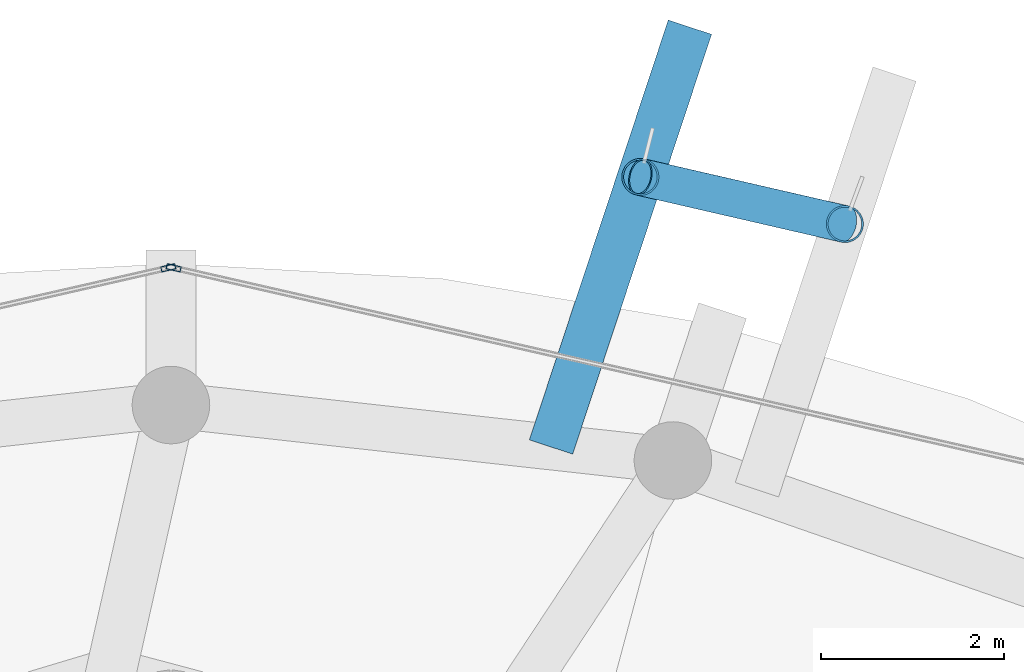
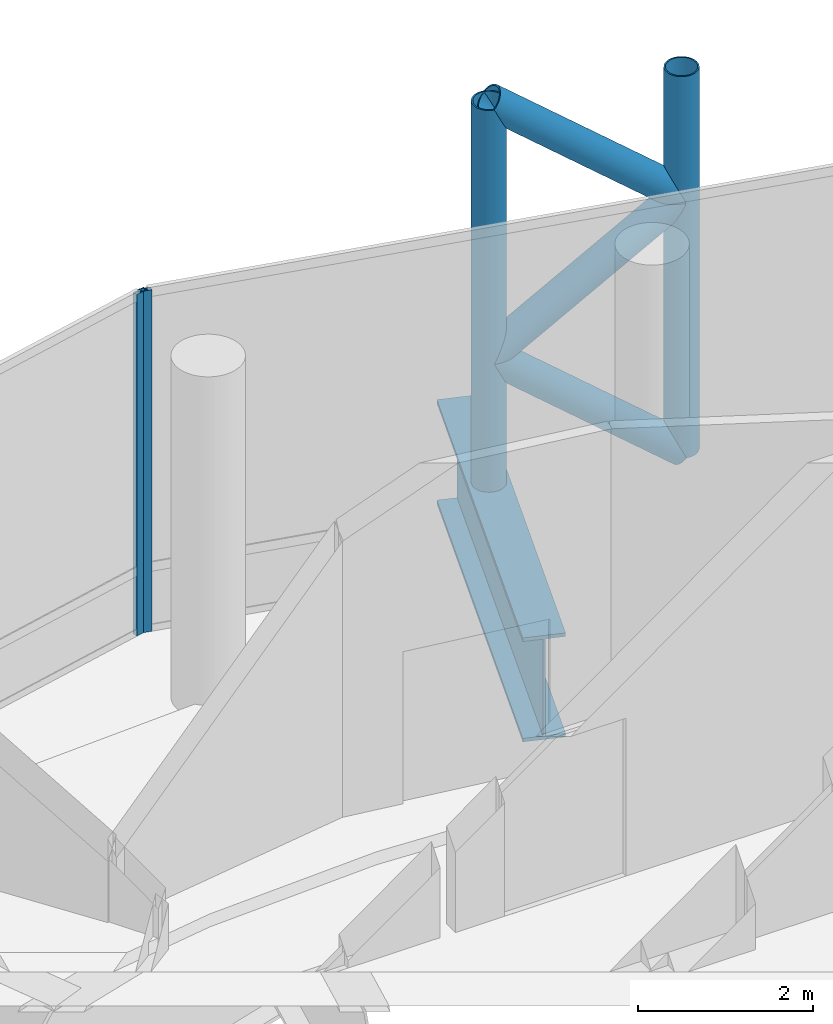
# One storey, part 20 of 31: 7 members, 1 beam, 2 elements without a shape of their own.
"""IFC4 building model written with IfcOpenShell, lengths in metres."""

from ifc_helpers import new_model, si_unit, direction, frame, origin, origin_2d, place, context, subcontext, project, spatial, hollow_rectangle, hollow_circle, i_section, extrude, material, layer, layer_set, material_profile, profile_set, type_object, element, aggregate, save


model = new_model("IFC4")

# Units and contexts
model_context = context("Model", 3, precision=1e-05, world=origin(), true_north=direction((0.0, 1.0)))
body_context = subcontext(model_context, "Body", "Model", "MODEL_VIEW")
ifc_project = project(units=[si_unit("LENGTHUNIT", "METRE"), si_unit("AREAUNIT", "SQUARE_METRE"), si_unit("VOLUMEUNIT", "CUBIC_METRE"), si_unit("PLANEANGLEUNIT", "RADIAN"), si_unit("MASSUNIT", "GRAM", prefix="KILO")], contexts=[model_context])

# Site, building, storey
site_placement = place(None, origin())
site = spatial("IfcSite", under=ifc_project, at=site_placement, CompositionType="ELEMENT")
building_placement = place(site_placement, origin())
building = spatial("IfcBuilding", under=site, at=building_placement, Name="Nuhasar Tower", CompositionType="ELEMENT")
storey_placement = place(building_placement, frame((0.0, 0.0, 203.14990234375)))
storey = spatial("IfcBuildingStorey", under=building, at=storey_placement, Name="L49", CompositionType="ELEMENT", Elevation=203.14990234375)

# Beam
ifc_material_1 = material(Name="Steel S460", Category="steel")
ifc_material_profile_1 = material_profile(ifc_material_1, i_section(OverallWidth=0.5, OverallDepth=1.449951171875, WebThickness=0.028076171875, FlangeThickness=0.050048828125, at=origin_2d()), Name="PG1450X500")
ifc_profile_set_1 = profile_set([ifc_material_profile_1], Name="Steel S460")
beam_type = type_object("IfcBeamType", Name="BM-XFER-PG1450", PredefinedType="USERDEFINED", material=ifc_profile_set_1)
beam_placement = place(storey_placement, frame((43.1640625, 44.18994140625, -1.044921875), z_axis=(0.314110737492, 0.949386351593, 0.0), x_axis=(-0.949386351593, 0.314110737492, 0.0)))
element("IfcBeam", 1, at=beam_placement, inside=storey, type_object=beam_type, Name="L49 Exoskeleton Step Transfer Girder 06", ObjectType="GIRDER", PredefinedType="USERDEFINED", context=body_context, shape_type="SweptSolid", body=[
    extrude(i_section(OverallWidth=0.5, OverallDepth=1.449951171875, WebThickness=0.028076171875, FlangeThickness=0.050048828125, at=origin_2d()), origin(), (0.0, 0.0, 1.0), 4.845458984375),
])

# Curtain wall, member
ifc_material_2 = material(Name="Aluminium 6063-T6", Category="aluminium")
ifc_layer = layer(ifc_material_2, 0.239990234375)
ifc_layer_set = layer_set([ifc_layer], Name="Aluminium 6063-T6")
curtain_wall_type = type_object("IfcCurtainWallType", Name="CW-SKY-LBY", PredefinedType="NOTDEFINED", material=ifc_layer_set)
curtain_wall_1_placement = place(storey_placement, origin())
curtain_wall_1 = element("IfcCurtainWall", 2, at=curtain_wall_1_placement, inside=storey, type_object=curtain_wall_type, Name="L49 Unitised Curtain Wall 03", PredefinedType="NOTDEFINED")
ifc_material_profile_2 = material_profile(ifc_material_2, hollow_rectangle(XDim=0.06005859375, YDim=0.159912109375, WallThickness=0.0048828125, at=origin_2d()), Name="CWM-6")
ifc_profile_set_2 = profile_set([ifc_material_profile_2], Name="Aluminium 6063-T6")
member_type_1 = type_object("IfcMemberType", Name="CW-MUL-S6", PredefinedType="MULLION", material=ifc_profile_set_2)
member_1_placement = place(storey_placement, frame((39.029296875, 46.1533203125, 0.0), z_axis=(0.0, 0.0, 1.0), x_axis=(-0.222243176313, -0.974991266926, 0.0)))
member_1 = element("IfcMember", 3, at=member_1_placement, type_object=member_type_1, Name="CW-SL mullion 2", PredefinedType="MULLION", context=body_context, shape_type="SweptSolid", body=[
    extrude(hollow_rectangle(XDim=0.06005859375, YDim=0.159912109375, WallThickness=0.0048828125, at=origin_2d()), origin(), (0.0, 0.0, 1.0), 4.760009765625),
])
aggregate(curtain_wall_1, [member_1])

curtain_wall_2_placement = place(storey_placement, origin())
curtain_wall_2 = element("IfcCurtainWall", 4, at=curtain_wall_2_placement, inside=storey, type_object=curtain_wall_type, Name="L49 Unitised Curtain Wall 04", PredefinedType="NOTDEFINED")
member_2_placement = place(storey_placement, frame((38.970703125, 46.1533203125, 0.0), z_axis=(0.0, 0.0, 1.0), x_axis=(0.222243176313, -0.974991266926, 0.0)))
member_2 = element("IfcMember", 5, at=member_2_placement, type_object=member_type_1, Name="CW-SL mullion 1", PredefinedType="MULLION", context=body_context, shape_type="SweptSolid", body=[
    extrude(hollow_rectangle(XDim=0.06005859375, YDim=0.159912109375, WallThickness=0.0048828125, at=origin_2d()), origin(), (0.0, 0.0, 1.0), 4.760009765625),
])
aggregate(curtain_wall_2, [member_2])

# Members
ifc_material_profile_3 = material_profile(ifc_material_1, hollow_circle(Radius=0.203125, WallThickness=0.01904296875, at=origin_2d()), Name="HSS406.4X19.1")
ifc_profile_set_3 = profile_set([ifc_material_profile_3], Name="Steel S460")
member_type_2 = type_object("IfcMemberType", Name="EXO-BRONZE-406", PredefinedType="BRACE", material=ifc_profile_set_3)
for number, where, z_axis, x_axis, name in (
    (6, (46.384033203125, 46.633056640625, -0.31982421875), (0.0, 0.0, 1.0), (1.0, 0.0, 0.0), "L49 Exoskeleton Chord Column EC-03A"),
    (7, (44.14306640625, 47.14892578125, -0.31982421875), (0.0, 0.0, 1.0), (1.0, 0.0, 0.0), "L49 Exoskeleton Chord Column EC-03B"),
):
    element("IfcMember", number, at=place(storey_placement, frame(where, z_axis=z_axis, x_axis=x_axis)), inside=storey, type_object=member_type_2, Name=name, PredefinedType="BRACE", context=body_context, shape_type="SweptSolid", body=[
        extrude(hollow_circle(Radius=0.203125, WallThickness=0.01904296875, at=origin_2d()), origin(), (0.0, 0.0, 1.0), 5.31982421875),
    ])
member_3_placement = place(storey_placement, frame((46.384033203125, 46.633056640625, -0.31982421875), z_axis=(-0.771765785874, 0.177659996247, 0.610585372809), x_axis=(-0.224332214284, -0.974512728308, 0.0)))
element("IfcMember", 8, at=member_3_placement, inside=storey, type_object=member_type_2, Name="L49 Bronze Diagrid Brace W1-03", PredefinedType="BRACE", context=body_context, shape_type="SweptSolid", body=[
    extrude(hollow_circle(Radius=0.203125, WallThickness=0.01904296875, at=origin_2d()), origin(), (0.0, 0.0, 1.0), 2.90380859375),
])
member_4_placement = place(storey_placement, frame((44.14306640625, 47.14892578125, 1.453125), z_axis=(0.771607308281, -0.177623514805, 0.610796241635), x_axis=(0.224332214284, 0.974512728308, 0.0)))
element("IfcMember", 9, at=member_4_placement, inside=storey, type_object=member_type_2, Name="L49 Bronze Diagrid Brace W2-03", PredefinedType="BRACE", context=body_context, shape_type="SweptSolid", body=[
    extrude(hollow_circle(Radius=0.203125, WallThickness=0.01904296875, at=origin_2d()), origin(), (0.0, 0.0, 1.0), 2.904296875),
])
member_5_placement = place(storey_placement, frame((46.384033203125, 46.633056640625, 3.22705078125), z_axis=(-0.771765785874, 0.177659996247, 0.610585372809), x_axis=(-0.224332214284, -0.974512728308, 0.0)))
element("IfcMember", 10, at=member_5_placement, inside=storey, type_object=member_type_2, Name="L49 Bronze Diagrid Brace W3-03", PredefinedType="BRACE", context=body_context, shape_type="SweptSolid", body=[
    extrude(hollow_circle(Radius=0.203125, WallThickness=0.01904296875, at=origin_2d()), origin(), (0.0, 0.0, 1.0), 2.90380859375),
])

save(model, "model.ifc")
